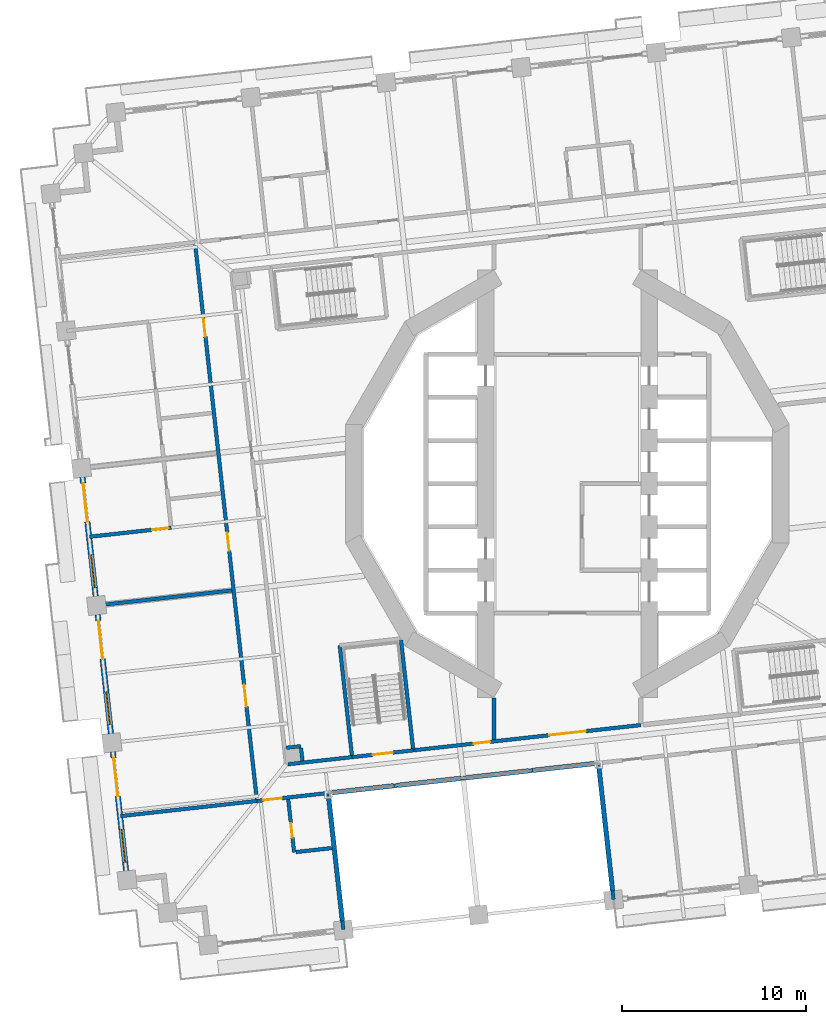
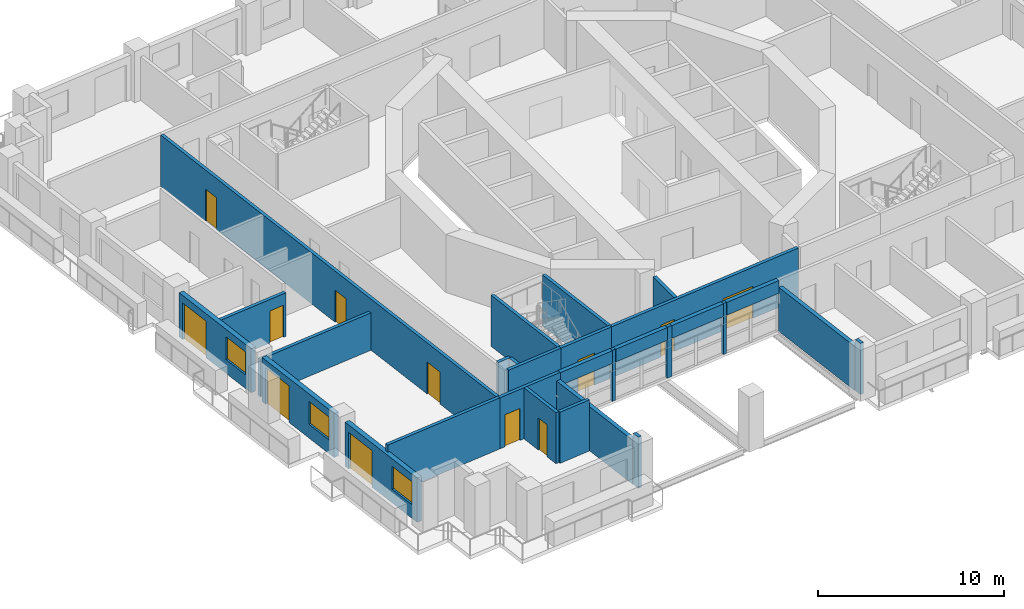
# One storey, part 7 of 21: 29 walls, 12 doors, 3 windows, 15 openings.
"""IFC4 building model written with IfcOpenShell, lengths in metres."""

from ifc_helpers import new_model, si_unit, direction, frame, frame_2d, origin, place, context, subcontext, project, spatial, rectangle, extrude, material, layer, layer_set, type_object, element, fill, save


model = new_model("IFC4")

# Units and contexts
model_context = context("Model", 3, precision=1e-05, world=origin(), true_north=direction((0.0, 1.0)))
body_context = subcontext(model_context, "Body", "Model", "MODEL_VIEW")
ifc_project = project(units=[si_unit("LENGTHUNIT", "METRE"), si_unit("AREAUNIT", "SQUARE_METRE"), si_unit("VOLUMEUNIT", "CUBIC_METRE"), si_unit("PLANEANGLEUNIT", "RADIAN"), si_unit("MASSUNIT", "GRAM", prefix="KILO")], contexts=[model_context])

# Site, building, storey
site_placement = place(None, origin())
site = spatial("IfcSite", under=ifc_project, at=site_placement, CompositionType="ELEMENT")
building_placement = place(site_placement, origin())
building = spatial("IfcBuilding", under=site, at=building_placement, Name="Cantera Rosa Tower", CompositionType="ELEMENT")
storey_placement = place(building_placement, frame((0.0, 0.0, 80.5)))
storey = spatial("IfcBuildingStorey", under=building, at=storey_placement, Name="L17", CompositionType="ELEMENT", Elevation=80.5)

# Wall, openings, doors
ifc_material_1 = material(Name="Gypsum board partition")
ifc_layer_1 = layer(ifc_material_1, 0.199951171875)
ifc_layer_set_1 = layer_set([ifc_layer_1], Name="CORRIDOR WALL 200 H3350")
wall_type_1 = type_object("IfcWallType", Name="CORRIDOR WALL 200 H3350", PredefinedType="PARTITIONING", material=ifc_layer_set_1)
wall_1_placement = place(storey_placement, frame((-20.2626953125, 13.04443359375, 0.0), z_axis=(0.0, 0.0, 1.0), x_axis=(0.110312530755, -0.993896949164, 0.0)))
wall_1 = element("IfcWall", 1, at=wall_1_placement, inside=storey, type_object=wall_type_1, Name="CORRIDOR WALL L17-007", PredefinedType="PARTITIONING", context=body_context, shape_type="SweptSolid", body=[
    extrude(rectangle(XDim=30.400146484375, YDim=0.199951171875, at=frame_2d((15.2001953125, 0.0))), origin(), (0.0, 0.0, 1.0), 3.35009765625),
])
opening_1_placement = place(wall_1_placement, frame((24.1298828125, 0.0, 0.0)))
opening_1 = element("IfcOpeningElement", 2, at=opening_1_placement, cuts=wall_1, Name="Opening L17-030", PredefinedType="OPENING", context=body_context, shape_type="SweptSolid", body=[
    extrude(rectangle(XDim=1.199951171875, YDim=2.10009765625, at=frame_2d((0.60009765625, 1.050048828125))), frame((0.0, 0.10986328125, 0.0), z_axis=(0.0, -1.0, 0.0), x_axis=(1.0, 0.0, 0.0)), (0.0, 0.0, 1.0), 0.219970703125),
])
opening_2_placement = place(wall_1_placement, frame((4.070068359375, 0.0, 0.0)))
opening_2 = element("IfcOpeningElement", 3, at=opening_2_placement, cuts=wall_1, Name="Opening L17-031", PredefinedType="OPENING", context=body_context, shape_type="SweptSolid", body=[
    extrude(rectangle(XDim=1.0, YDim=2.10009765625, at=frame_2d((0.5, 1.050048828125))), frame((0.0, 0.10986328125, 0.0), z_axis=(0.0, -1.0, 0.0), x_axis=(1.0, 0.0, 0.0)), (0.0, 0.0, 1.0), 0.219970703125),
])
opening_3_placement = place(wall_1_placement, frame((15.800048828125, 0.0, 0.0)))
opening_3 = element("IfcOpeningElement", 4, at=opening_3_placement, cuts=wall_1, Name="Opening L17-034", PredefinedType="OPENING", context=body_context, shape_type="SweptSolid", body=[
    extrude(rectangle(XDim=1.0, YDim=2.10009765625, at=frame_2d((0.5, 1.050048828125))), frame((0.0, 0.10986328125, 0.0), z_axis=(0.0, -1.0, 0.0), x_axis=(1.0, 0.0, 0.0)), (0.0, 0.0, 1.0), 0.219970703125),
])
ifc_material_2 = material(Name="Timber door leaf", Category="wood")
door_type_1 = type_object("IfcDoorType", Name="ENTRANCE DOOR 1000x2100", OperationType="NOTDEFINED", PredefinedType="DOOR", material=ifc_material_2)
door_1_placement = place(opening_2_placement, origin())
door_1 = element("IfcDoor", 5, at=door_1_placement, inside=storey, type_object=door_type_1, Name="DOOR L17-031", OperationType="NOTDEFINED", OverallHeight=2.10009765625, OverallWidth=1.0, PredefinedType="DOOR", context=body_context, shape_type="SweptSolid", body=[
    extrude(rectangle(XDim=1.0, YDim=2.10009765625, at=frame_2d((0.5, 1.050048828125))), frame((0.0, 0.02490234375, 0.0), z_axis=(0.0, -1.0, 0.0), x_axis=(1.0, 0.0, 0.0)), (0.0, 0.0, 1.0), 0.050048828125),
])
fill(opening_2, door_1)
door_2_placement = place(opening_3_placement, origin())
door_2 = element("IfcDoor", 6, at=door_2_placement, inside=storey, type_object=door_type_1, Name="DOOR L17-034", OperationType="NOTDEFINED", OverallHeight=2.10009765625, OverallWidth=1.0, PredefinedType="DOOR", context=body_context, shape_type="SweptSolid", body=[
    extrude(rectangle(XDim=1.0, YDim=2.10009765625, at=frame_2d((0.5, 1.050048828125))), frame((0.0, 0.02490234375, 0.0), z_axis=(0.0, -1.0, 0.0), x_axis=(1.0, 0.0, 0.0)), (0.0, 0.0, 1.0), 0.050048828125),
])
fill(opening_3, door_2)
ifc_material_3 = material(Name="Timber door leaf", Category="wood")
door_type_2 = type_object("IfcDoorType", Name="ROOM DOOR 1200x2100", OperationType="NOTDEFINED", PredefinedType="DOOR", material=ifc_material_3)
door_3_placement = place(opening_1_placement, origin())
door_3 = element("IfcDoor", 7, at=door_3_placement, inside=storey, type_object=door_type_2, Name="DOOR L17-030", OperationType="NOTDEFINED", OverallHeight=2.10009765625, OverallWidth=1.199951171875, PredefinedType="DOOR", context=body_context, shape_type="SweptSolid", body=[
    extrude(rectangle(XDim=1.199951171875, YDim=2.10009765625, at=frame_2d((0.60009765625, 1.050048828125))), frame((0.0, 0.02490234375, 0.0), z_axis=(0.0, -1.0, 0.0), x_axis=(1.0, 0.0, 0.0)), (0.0, 0.0, 1.0), 0.050048828125),
])
fill(opening_1, door_3)

# Wall, opening, door
wall_2_placement = place(storey_placement, frame((-16.898193359375, -17.26953125, 0.0), z_axis=(0.0, 0.0, 1.0), x_axis=(0.993894825106, 0.110331666476, 0.0)))
wall_2 = element("IfcWall", 8, at=wall_2_placement, inside=storey, type_object=wall_type_1, Name="CORRIDOR WALL L17-014", PredefinedType="PARTITIONING", context=body_context, shape_type="SweptSolid", body=[
    extrude(rectangle(XDim=4.025146484375, YDim=0.199951171875, at=frame_2d((2.0126953125, 0.0))), origin(), (0.0, 0.0, 1.0), 3.35009765625),
])
opening_4_placement = place(wall_2_placement, frame((0.35009765625, 0.0, 0.0)))
opening_4 = element("IfcOpeningElement", 9, at=opening_4_placement, cuts=wall_2, Name="Opening L17-041", PredefinedType="OPENING", context=body_context, shape_type="SweptSolid", body=[
    extrude(rectangle(XDim=1.0, YDim=2.10009765625, at=frame_2d((0.5, 1.050048828125))), frame((0.0, 0.10986328125, 0.0), z_axis=(0.0, -1.0, 0.0), x_axis=(1.0, 0.0, 0.0)), (0.0, 0.0, 1.0), 0.219970703125),
])
door_4_placement = place(opening_4_placement, origin())
door_4 = element("IfcDoor", 10, at=door_4_placement, inside=storey, type_object=door_type_1, Name="DOOR L17-041", OperationType="NOTDEFINED", OverallHeight=2.10009765625, OverallWidth=1.0, PredefinedType="DOOR", context=body_context, shape_type="SweptSolid", body=[
    extrude(rectangle(XDim=1.0, YDim=2.10009765625, at=frame_2d((0.5, 1.050048828125))), frame((0.0, 0.02490234375, 0.0), z_axis=(0.0, -1.0, 0.0), x_axis=(1.0, 0.0, 0.0)), (0.0, 0.0, 1.0), 0.050048828125),
])
fill(opening_4, door_4)

# Walls
wall_3_placement = place(storey_placement, frame((-9.452880859375, -16.443115234375, 0.0), z_axis=(0.0, 0.0, 1.0), x_axis=(0.993965363551, 0.109694375707, 0.0)))
element("IfcWall", 11, at=wall_3_placement, inside=storey, type_object=wall_type_1, Name="CORRIDOR WALL L17-015", PredefinedType="PARTITIONING", context=body_context, shape_type="SweptSolid", body=[
    extrude(rectangle(XDim=0.218017578125, YDim=0.199951171875, at=frame_2d((0.10888671875, 0.0))), origin(), (0.0, 0.0, 1.0), 3.35009765625),
])
wall_4_placement = place(storey_placement, frame((-5.819580078125, -16.039794921875, 0.0), z_axis=(0.0, 0.0, 1.0), x_axis=(0.993961066883, 0.109733301784, 0.0)))
element("IfcWall", 12, at=wall_4_placement, inside=storey, type_object=wall_type_1, Name="CORRIDOR WALL L17-016", PredefinedType="PARTITIONING", context=body_context, shape_type="SweptSolid", body=[
    extrude(rectangle(XDim=0.30712890625, YDim=0.199951171875, at=frame_2d((0.153564453125, 0.0))), origin(), (0.0, 0.0, 1.0), 3.35009765625),
])
wall_5_placement = place(storey_placement, frame((-2.097900390625, -15.626708984375, 0.0), z_axis=(0.0, 0.0, 1.0), x_axis=(0.993951872299, 0.109816554098, 0.0)))
element("IfcWall", 13, at=wall_5_placement, inside=storey, type_object=wall_type_1, Name="CORRIDOR WALL L17-017", PredefinedType="PARTITIONING", context=body_context, shape_type="SweptSolid", body=[
    extrude(rectangle(XDim=0.2177734375, YDim=0.199951171875, at=frame_2d((0.10888671875, 0.0))), origin(), (0.0, 0.0, 1.0), 3.35009765625),
])
wall_6_placement = place(storey_placement, frame((-15.208251953125, -15.27099609375, 0.0), z_axis=(0.0, 0.0, 1.0), x_axis=(0.993893064489, 0.110347525396, 0.0)))
element("IfcWall", 14, at=wall_6_placement, inside=storey, type_object=wall_type_1, Name="CORRIDOR WALL L17-023", PredefinedType="PARTITIONING", context=body_context, shape_type="SweptSolid", body=[
    extrude(rectangle(XDim=3.509033203125, YDim=0.199951171875, at=frame_2d((1.75439453125, 0.0))), origin(), (0.0, 0.0, 1.0), 3.35009765625),
])

# Wall, openings, doors
wall_7_placement = place(storey_placement, frame((-8.391357421875, -14.51416015625, 0.0), z_axis=(0.0, 0.0, 1.0), x_axis=(0.993897577722, 0.110306867408, 0.0)))
wall_7 = element("IfcWall", 15, at=wall_7_placement, inside=storey, type_object=wall_type_1, Name="CORRIDOR WALL L17-039", PredefinedType="PARTITIONING", context=body_context, shape_type="SweptSolid", body=[
    extrude(rectangle(XDim=12.467529296875, YDim=0.199951171875, at=frame_2d((6.23388671875, 0.0))), origin(), (0.0, 0.0, 1.0), 3.35009765625),
])
opening_5_placement = place(wall_7_placement, frame((3.305419921875, 0.0, 0.0)))
opening_5 = element("IfcOpeningElement", 16, at=opening_5_placement, cuts=wall_7, Name="Opening L17-008", PredefinedType="OPENING", context=body_context, shape_type="SweptSolid", body=[
    extrude(rectangle(XDim=0.89990234375, YDim=2.10009765625, at=frame_2d((0.449951171875, 1.050048828125))), frame((0.0, 0.10986328125, 0.0), z_axis=(0.0, -1.0, 0.0), x_axis=(1.0, 0.0, 0.0)), (0.0, 0.0, 1.0), 0.219970703125),
])
opening_6_placement = place(wall_7_placement, frame((7.44287109375, 0.0, 0.0)))
opening_6 = element("IfcOpeningElement", 17, at=opening_6_placement, cuts=wall_7, Name="Opening L17-012", PredefinedType="OPENING", context=body_context, shape_type="SweptSolid", body=[
    extrude(rectangle(XDim=2.0, YDim=2.10009765625, at=frame_2d((1.0, 1.050048828125))), frame((0.0, 0.10986328125, 0.0), z_axis=(0.0, -1.0, 0.0), x_axis=(1.0, 0.0, 0.0)), (0.0, 0.0, 1.0), 0.219970703125),
])
ifc_material_4 = material(Name="Steel S355J2 (EN 10025-2)", Category="steel")
door_type_3 = type_object("IfcDoorType", Name="LOBBY SCREEN DOOR 2000x2100", OperationType="NOTDEFINED", PredefinedType="DOOR", material=ifc_material_4)
door_5_placement = place(opening_6_placement, origin())
door_5 = element("IfcDoor", 18, at=door_5_placement, inside=storey, type_object=door_type_3, Name="DOOR L17-012", OperationType="NOTDEFINED", OverallHeight=2.10009765625, OverallWidth=2.0, PredefinedType="DOOR", context=body_context, shape_type="SweptSolid", body=[
    extrude(rectangle(XDim=2.0, YDim=2.10009765625, at=frame_2d((1.0, 1.050048828125))), frame((0.0, 0.02490234375, 0.0), z_axis=(0.0, -1.0, 0.0), x_axis=(1.0, 0.0, 0.0)), (0.0, 0.0, 1.0), 0.050048828125),
])
fill(opening_6, door_5)
ifc_material_5 = material(Name="Timber door leaf", Category="wood")
door_type_4 = type_object("IfcDoorType", Name="SERVICE DOOR 900x2100", OperationType="NOTDEFINED", PredefinedType="DOOR", material=ifc_material_5)
door_6_placement = place(opening_5_placement, origin())
door_6 = element("IfcDoor", 19, at=door_6_placement, inside=storey, type_object=door_type_4, Name="DOOR L17-008", OperationType="NOTDEFINED", OverallHeight=2.10009765625, OverallWidth=0.89990234375, PredefinedType="DOOR", context=body_context, shape_type="SweptSolid", body=[
    extrude(rectangle(XDim=0.89990234375, YDim=2.10009765625, at=frame_2d((0.449951171875, 1.050048828125))), frame((0.0, 0.02490234375, 0.0), z_axis=(0.0, -1.0, 0.0), x_axis=(1.0, 0.0, 0.0)), (0.0, 0.0, 1.0), 0.050048828125),
])
fill(opening_5, door_6)

# Wall
wall_8_placement = place(storey_placement, frame((-4.0, -11.667236328125, 0.0), z_axis=(0.0, 0.0, 1.0), x_axis=(0.0, -1.0, 0.0)))
element("IfcWall", 20, at=wall_8_placement, inside=storey, type_object=wall_type_1, Name="CORRIDOR WALL L17-049", PredefinedType="PARTITIONING", context=body_context, shape_type="SweptSolid", body=[
    extrude(rectangle(XDim=2.259765625, YDim=0.199951171875, at=frame_2d((1.1298828125, 0.0))), origin(), (0.0, 0.0, 1.0), 3.35009765625),
])

# Wall, openings, window, door
ifc_material_6 = material(Name="Hollow clay masonry with cantera stone cladding", Category="masonry")
ifc_layer_2 = layer(ifc_material_6, 0.300048828125)
ifc_layer_set_2 = layer_set([ifc_layer_2], Name="EW-LOGGIA 300 H2890")
wall_type_2 = type_object("IfcWallType", Name="EW-LOGGIA 300 H2890", PredefinedType="SOLIDWALL", material=ifc_layer_set_2)
wall_9_placement = place(storey_placement, frame((-26.399658203125, 0.349853515625, 0.0), z_axis=(0.0, 0.0, 1.0), x_axis=(0.110312341265, -0.993896970196, 0.0)))
wall_9 = element("IfcWall", 21, at=wall_9_placement, inside=storey, type_object=wall_type_2, Name="EN-L17-W18", PredefinedType="SOLIDWALL", context=body_context, shape_type="SweptSolid", body=[
    extrude(rectangle(XDim=6.52001953125, YDim=0.300048828125, at=frame_2d((3.260009765625, 0.0))), origin(), (0.0, 0.0, 1.0), 2.889892578125),
])
opening_7_placement = place(wall_9_placement, frame((0.330078125, 0.0, 0.0)))
opening_7 = element("IfcOpeningElement", 22, at=opening_7_placement, cuts=wall_9, Name="Opening L17-TD27", PredefinedType="OPENING", context=body_context, shape_type="SweptSolid", body=[
    extrude(rectangle(XDim=2.10009765625, YDim=2.39990234375, at=frame_2d((1.050048828125, 1.199951171875))), frame((0.0, 0.159912109375, 0.0), z_axis=(0.0, -1.0, 0.0), x_axis=(1.0, 0.0, 0.0)), (0.0, 0.0, 1.0), 0.320068359375),
])
opening_8_placement = place(wall_9_placement, frame((4.239990234375, 0.0, 0.89990234375)))
opening_8 = element("IfcOpeningElement", 23, at=opening_8_placement, cuts=wall_9, Name="Opening L17-W28", PredefinedType="OPENING", context=body_context, shape_type="SweptSolid", body=[
    extrude(rectangle(XDim=1.800048828125, YDim=1.5, at=frame_2d((0.89990234375, 0.75))), frame((0.0, 0.159912109375, 0.0), z_axis=(0.0, -1.0, 0.0), x_axis=(1.0, 0.0, 0.0)), (0.0, 0.0, 1.0), 0.320068359375),
])
ifc_material_7 = material(Name="Aluminium frame with clear glass", Category="aluminium")
window_type = type_object("IfcWindowType", Name="Hotel room window 1800x1500", PartitioningType="DOUBLE_PANEL_VERTICAL", PredefinedType="WINDOW", material=ifc_material_7)
window_1_placement = place(opening_8_placement, origin())
window_1 = element("IfcWindow", 24, at=window_1_placement, inside=storey, type_object=window_type, Name="WINDOW L17-W28", OverallHeight=1.5, OverallWidth=1.800048828125, PartitioningType="SINGLE_PANEL", PredefinedType="WINDOW", context=body_context, shape_type="SweptSolid", body=[
    extrude(rectangle(XDim=1.800048828125, YDim=1.5, at=frame_2d((0.89990234375, 0.75))), frame((0.0, 0.030029296875, 0.0), z_axis=(0.0, -1.0, 0.0), x_axis=(1.0, 0.0, 0.0)), (0.0, 0.0, 1.0), 0.06005859375),
])
fill(opening_8, window_1)
ifc_material_8 = material(Name="Aluminium frame with clear glass", Category="aluminium")
door_type_5 = type_object("IfcDoorType", Name="TD-H 2100x2400", OperationType="NOTDEFINED", PredefinedType="DOOR", material=ifc_material_8)
door_7_placement = place(opening_7_placement, origin())
door_7 = element("IfcDoor", 25, at=door_7_placement, inside=storey, type_object=door_type_5, Name="LOGGIA DOOR L17-TD27", OperationType="SLIDING_TO_LEFT", OverallHeight=2.39990234375, OverallWidth=2.10009765625, PredefinedType="DOOR", context=body_context, shape_type="SweptSolid", body=[
    extrude(rectangle(XDim=2.10009765625, YDim=2.39990234375, at=frame_2d((1.050048828125, 1.199951171875))), frame((0.0, 0.02490234375, 0.0), z_axis=(0.0, -1.0, 0.0), x_axis=(1.0, 0.0, 0.0)), (0.0, 0.0, 1.0), 0.050048828125),
])
fill(opening_7, door_7)

wall_10_placement = place(storey_placement, frame((-25.570068359375, -7.124267578125, 0.0), z_axis=(0.0, 0.0, 1.0), x_axis=(0.110312341265, -0.993896970196, 0.0)))
wall_10 = element("IfcWall", 26, at=wall_10_placement, inside=storey, type_object=wall_type_2, Name="EN-L17-W19", PredefinedType="SOLIDWALL", context=body_context, shape_type="SweptSolid", body=[
    extrude(rectangle(XDim=6.52001953125, YDim=0.300048828125, at=frame_2d((3.260009765625, 0.0))), origin(), (0.0, 0.0, 1.0), 2.889892578125),
])
opening_9_placement = place(wall_10_placement, frame((0.330078125, 0.0, 0.0)))
opening_9 = element("IfcOpeningElement", 27, at=opening_9_placement, cuts=wall_10, Name="Opening L17-TD29", PredefinedType="OPENING", context=body_context, shape_type="SweptSolid", body=[
    extrude(rectangle(XDim=2.10009765625, YDim=2.39990234375, at=frame_2d((1.050048828125, 1.199951171875))), frame((0.0, 0.159912109375, 0.0), z_axis=(0.0, -1.0, 0.0), x_axis=(1.0, 0.0, 0.0)), (0.0, 0.0, 1.0), 0.320068359375),
])
opening_10_placement = place(wall_10_placement, frame((4.239990234375, 0.0, 0.89990234375)))
opening_10 = element("IfcOpeningElement", 28, at=opening_10_placement, cuts=wall_10, Name="Opening L17-W30", PredefinedType="OPENING", context=body_context, shape_type="SweptSolid", body=[
    extrude(rectangle(XDim=1.800048828125, YDim=1.5, at=frame_2d((0.89990234375, 0.75))), frame((0.0, 0.159912109375, 0.0), z_axis=(0.0, -1.0, 0.0), x_axis=(1.0, 0.0, 0.0)), (0.0, 0.0, 1.0), 0.320068359375),
])
window_2_placement = place(opening_10_placement, origin())
window_2 = element("IfcWindow", 29, at=window_2_placement, inside=storey, type_object=window_type, Name="WINDOW L17-W30", OverallHeight=1.5, OverallWidth=1.800048828125, PartitioningType="SINGLE_PANEL", PredefinedType="WINDOW", context=body_context, shape_type="SweptSolid", body=[
    extrude(rectangle(XDim=1.800048828125, YDim=1.5, at=frame_2d((0.89990234375, 0.75))), frame((0.0, 0.030029296875, 0.0), z_axis=(0.0, -1.0, 0.0), x_axis=(1.0, 0.0, 0.0)), (0.0, 0.0, 1.0), 0.06005859375),
])
fill(opening_10, window_2)
door_8_placement = place(opening_9_placement, origin())
door_8 = element("IfcDoor", 30, at=door_8_placement, inside=storey, type_object=door_type_5, Name="LOGGIA DOOR L17-TD29", OperationType="SLIDING_TO_LEFT", OverallHeight=2.39990234375, OverallWidth=2.10009765625, PredefinedType="DOOR", context=body_context, shape_type="SweptSolid", body=[
    extrude(rectangle(XDim=2.10009765625, YDim=2.39990234375, at=frame_2d((1.050048828125, 1.199951171875))), frame((0.0, 0.02490234375, 0.0), z_axis=(0.0, -1.0, 0.0), x_axis=(1.0, 0.0, 0.0)), (0.0, 0.0, 1.0), 0.050048828125),
])
fill(opening_9, door_8)

wall_11_placement = place(storey_placement, frame((-24.74072265625, -14.598388671875, 0.0), z_axis=(0.0, 0.0, 1.0), x_axis=(0.110312341265, -0.993896970196, 0.0)))
wall_11 = element("IfcWall", 31, at=wall_11_placement, inside=storey, type_object=wall_type_2, Name="EN-L17-W20", PredefinedType="SOLIDWALL", context=body_context, shape_type="SweptSolid", body=[
    extrude(rectangle(XDim=6.52001953125, YDim=0.300048828125, at=frame_2d((3.260009765625, 0.0))), origin(), (0.0, 0.0, 1.0), 2.889892578125),
])
opening_11_placement = place(wall_11_placement, frame((0.330078125, 0.0, 0.0)))
opening_11 = element("IfcOpeningElement", 32, at=opening_11_placement, cuts=wall_11, Name="Opening L17-TD31", PredefinedType="OPENING", context=body_context, shape_type="SweptSolid", body=[
    extrude(rectangle(XDim=2.10009765625, YDim=2.39990234375, at=frame_2d((1.050048828125, 1.199951171875))), frame((0.0, 0.159912109375, 0.0), z_axis=(0.0, -1.0, 0.0), x_axis=(1.0, 0.0, 0.0)), (0.0, 0.0, 1.0), 0.320068359375),
])
opening_12_placement = place(wall_11_placement, frame((4.239990234375, 0.0, 0.89990234375)))
opening_12 = element("IfcOpeningElement", 33, at=opening_12_placement, cuts=wall_11, Name="Opening L17-W32", PredefinedType="OPENING", context=body_context, shape_type="SweptSolid", body=[
    extrude(rectangle(XDim=1.800048828125, YDim=1.5, at=frame_2d((0.89990234375, 0.75))), frame((0.0, 0.159912109375, 0.0), z_axis=(0.0, -1.0, 0.0), x_axis=(1.0, 0.0, 0.0)), (0.0, 0.0, 1.0), 0.320068359375),
])
window_3_placement = place(opening_12_placement, origin())
window_3 = element("IfcWindow", 34, at=window_3_placement, inside=storey, type_object=window_type, Name="WINDOW L17-W32", OverallHeight=1.5, OverallWidth=1.800048828125, PartitioningType="SINGLE_PANEL", PredefinedType="WINDOW", context=body_context, shape_type="SweptSolid", body=[
    extrude(rectangle(XDim=1.800048828125, YDim=1.5, at=frame_2d((0.89990234375, 0.75))), frame((0.0, 0.030029296875, 0.0), z_axis=(0.0, -1.0, 0.0), x_axis=(1.0, 0.0, 0.0)), (0.0, 0.0, 1.0), 0.06005859375),
])
fill(opening_12, window_3)
door_9_placement = place(opening_11_placement, origin())
door_9 = element("IfcDoor", 35, at=door_9_placement, inside=storey, type_object=door_type_5, Name="LOGGIA DOOR L17-TD31", OperationType="SLIDING_TO_LEFT", OverallHeight=2.39990234375, OverallWidth=2.10009765625, PredefinedType="DOOR", context=body_context, shape_type="SweptSolid", body=[
    extrude(rectangle(XDim=2.10009765625, YDim=2.39990234375, at=frame_2d((1.050048828125, 1.199951171875))), frame((0.0, 0.02490234375, 0.0), z_axis=(0.0, -1.0, 0.0), x_axis=(1.0, 0.0, 0.0)), (0.0, 0.0, 1.0), 0.050048828125),
])
fill(opening_11, door_9)

# Walls
ifc_material_9 = material(Name="Concrete C40/50", Category="concrete")
ifc_layer_3 = layer(ifc_material_9, 0.25)
ifc_layer_set_3 = layer_set([ifc_layer_3], Name="EW-POCKET CHEEK 250 H2890")
wall_type_3 = type_object("IfcWallType", Name="EW-POCKET CHEEK 250 H2890", PredefinedType="SOLIDWALL", material=ifc_layer_set_3)
wall_12_placement = place(storey_placement, frame((-12.249755859375, -23.796630859375, 0.0), z_axis=(0.0, 0.0, 1.0), x_axis=(-0.11028783669, 0.993899689646, 0.0)))
element("IfcWall", 36, at=wall_12_placement, inside=storey, type_object=wall_type_3, Name="POCKET CHEEK A L17", PredefinedType="SOLIDWALL", context=body_context, shape_type="SweptSolid", body=[
    extrude(rectangle(XDim=6.89990234375, YDim=0.25, at=frame_2d((3.449951171875, 0.0))), origin(), (0.0, 0.0, 1.0), 2.889892578125),
])
wall_13_placement = place(storey_placement, frame((2.4599609375, -22.163818359375, 0.0), z_axis=(0.0, 0.0, 1.0), x_axis=(-0.110322788799, 0.993895810572, 0.0)))
element("IfcWall", 37, at=wall_13_placement, inside=storey, type_object=wall_type_3, Name="POCKET CHEEK B L17", PredefinedType="SOLIDWALL", context=body_context, shape_type="SweptSolid", body=[
    extrude(rectangle(XDim=6.900146484375, YDim=0.25, at=frame_2d((3.4501953125, 0.0))), origin(), (0.0, 0.0, 1.0), 2.889892578125),
])
ifc_material_10 = material(Name="Hollow clay masonry with cantera stone cladding", Category="masonry")
ifc_layer_4 = layer(ifc_material_10, 0.25)
ifc_layer_set_4 = layer_set([ifc_layer_4], Name="EW-POCKET REAR 250")
wall_type_4 = type_object("IfcWallType", Name="EW-POCKET REAR 250", PredefinedType="SOLIDWALL", material=ifc_layer_set_4)
wall_14_placement = place(storey_placement, frame((-12.897705078125, -16.825439453125, 2.51611328125), z_axis=(0.0, 0.0, 1.0), x_axis=(0.993897471215, 0.110307827068, 0.0)))
element("IfcWall", 38, at=wall_14_placement, inside=storey, type_object=wall_type_4, Name="POCKET SPANDREL L17-1", PredefinedType="SOLIDWALL", context=body_context, shape_type="SweptSolid", body=[
    extrude(rectangle(XDim=3.466064453125, YDim=0.25, at=frame_2d((1.73291015625, 0.0))), origin(), (0.0, 0.0, 1.0), 0.833984375),
])
for number, where, z_axis, x_axis, name in (
    (39, (-9.236083984375, -16.419189453125, 2.51611328125), (0.0, 0.0, 1.0), (0.993890661754, 0.110369164525, 0.0), "POCKET SPANDREL L17-2"),
    (40, (-5.514404296875, -16.006103515625, 2.51611328125), (0.0, 0.0, 1.0), (0.993890661754, 0.110369164525, 0.0), "POCKET SPANDREL L17-3"),
):
    element("IfcWall", number, at=place(storey_placement, frame(where, z_axis=z_axis, x_axis=x_axis)), inside=storey, type_object=wall_type_4, Name=name, PredefinedType="SOLIDWALL", context=body_context, shape_type="SweptSolid", body=[
        extrude(rectangle(XDim=3.4375, YDim=0.25, at=frame_2d((1.71875, 0.0))), origin(), (0.0, 0.0, 1.0), 0.833984375),
    ])
wall_15_placement = place(storey_placement, frame((-1.88134765625, -15.602783203125, 2.51611328125), z_axis=(0.0, 0.0, 1.0), x_axis=(0.993897471215, 0.110307827068, 0.0)))
element("IfcWall", 41, at=wall_15_placement, inside=storey, type_object=wall_type_4, Name="POCKET SPANDREL L17-4", PredefinedType="SOLIDWALL", context=body_context, shape_type="SweptSolid", body=[
    extrude(rectangle(XDim=3.466064453125, YDim=0.25, at=frame_2d((1.73291015625, 0.0))), origin(), (0.0, 0.0, 1.0), 0.833984375),
])

# Wall, opening, door
ifc_material_11 = material(Name="Gypsum board partition")
ifc_layer_5 = layer(ifc_material_11, 0.199951171875)
ifc_layer_set_5 = layer_set([ifc_layer_5], Name="PARTITION 200 H2850")
wall_type_5 = type_object("IfcWallType", Name="PARTITION 200 H2850", PredefinedType="PARTITIONING", material=ifc_layer_set_5)
wall_16_placement = place(storey_placement, frame((-21.567626953125, -2.393798828125, 0.0), z_axis=(0.0, 0.0, 1.0), x_axis=(-0.993895052822, -0.11032961514, 0.0)))
wall_16 = element("IfcWall", 42, at=wall_16_placement, inside=storey, type_object=wall_type_5, Name="PARTITION L17-005", PredefinedType="PARTITIONING", context=body_context, shape_type="SweptSolid", body=[
    extrude(rectangle(XDim=4.469970703125, YDim=0.199951171875, at=frame_2d((2.23486328125, 0.0))), origin(), (0.0, 0.0, 1.0), 2.85009765625),
])
opening_13_placement = place(wall_16_placement, frame((0.14990234375, 0.0, 0.0)))
opening_13 = element("IfcOpeningElement", 43, at=opening_13_placement, cuts=wall_16, Name="Opening L17-035", PredefinedType="OPENING", context=body_context, shape_type="SweptSolid", body=[
    extrude(rectangle(XDim=0.89990234375, YDim=2.10009765625, at=frame_2d((0.449951171875, 1.050048828125))), frame((0.0, 0.10986328125, 0.0), z_axis=(0.0, -1.0, 0.0), x_axis=(1.0, 0.0, 0.0)), (0.0, 0.0, 1.0), 0.219970703125),
])
ifc_material_12 = material(Name="Timber door leaf", Category="wood")
door_type_6 = type_object("IfcDoorType", Name="ROOM DOOR 900x2100", OperationType="NOTDEFINED", PredefinedType="DOOR", material=ifc_material_12)
door_10_placement = place(opening_13_placement, origin())
door_10 = element("IfcDoor", 44, at=door_10_placement, inside=storey, type_object=door_type_6, Name="DOOR L17-035", OperationType="NOTDEFINED", OverallHeight=2.10009765625, OverallWidth=0.89990234375, PredefinedType="DOOR", context=body_context, shape_type="SweptSolid", body=[
    extrude(rectangle(XDim=0.89990234375, YDim=2.10009765625, at=frame_2d((0.449951171875, 1.050048828125))), frame((0.0, 0.02490234375, 0.0), z_axis=(0.0, -1.0, 0.0), x_axis=(1.0, 0.0, 0.0)), (0.0, 0.0, 1.0), 0.050048828125),
])
fill(opening_13, door_10)

ifc_material_13 = material(Name="Gypsum board partition")
ifc_layer_6 = layer(ifc_material_13, 0.199951171875)
ifc_layer_set_6 = layer_set([ifc_layer_6], Name="PARTITION 200 H3350")
wall_type_6 = type_object("IfcWallType", Name="PARTITION 200 H3350", PredefinedType="PARTITIONING", material=ifc_layer_set_6)
wall_17_placement = place(storey_placement, frame((-14.87744140625, -20.063720703125, 0.0), z_axis=(0.0, 0.0, 1.0), x_axis=(-0.110366846939, 0.993890919114, 0.0)))
wall_17 = element("IfcWall", 45, at=wall_17_placement, inside=storey, type_object=wall_type_6, Name="PARTITION L17-024", PredefinedType="PARTITIONING", context=body_context, shape_type="SweptSolid", body=[
    extrude(rectangle(XDim=2.900146484375, YDim=0.199951171875, at=frame_2d((1.4501953125, 0.0))), origin(), (0.0, 0.0, 1.0), 3.35009765625),
])
opening_14_placement = place(wall_17_placement, frame((0.800048828125, 0.0, 0.0)))
opening_14 = element("IfcOpeningElement", 46, at=opening_14_placement, cuts=wall_17, Name="Opening L17-042", PredefinedType="OPENING", context=body_context, shape_type="SweptSolid", body=[
    extrude(rectangle(XDim=0.800048828125, YDim=2.10009765625, at=frame_2d((0.39990234375, 1.050048828125))), frame((0.0, 0.10986328125, 0.0), z_axis=(0.0, -1.0, 0.0), x_axis=(1.0, 0.0, 0.0)), (0.0, 0.0, 1.0), 0.219970703125),
])
ifc_material_14 = material(Name="Timber door leaf", Category="wood")
door_type_7 = type_object("IfcDoorType", Name="BATHROOM DOOR 800x2100", OperationType="NOTDEFINED", PredefinedType="DOOR", material=ifc_material_14)
door_11_placement = place(opening_14_placement, origin())
door_11 = element("IfcDoor", 47, at=door_11_placement, inside=storey, type_object=door_type_7, Name="DOOR L17-042", OperationType="NOTDEFINED", OverallHeight=2.10009765625, OverallWidth=0.800048828125, PredefinedType="DOOR", context=body_context, shape_type="SweptSolid", body=[
    extrude(rectangle(XDim=0.800048828125, YDim=2.10009765625, at=frame_2d((0.39990234375, 1.050048828125))), frame((0.0, 0.02490234375, 0.0), z_axis=(0.0, -1.0, 0.0), x_axis=(1.0, 0.0, 0.0)), (0.0, 0.0, 1.0), 0.050048828125),
])
fill(opening_14, door_11)

# Walls
wall_18_placement = place(storey_placement, frame((-14.512451171875, -14.2880859375, 0.0), z_axis=(0.0, 0.0, 1.0), x_axis=(-0.993880012744, -0.110465018303, 0.0)))
element("IfcWall", 48, at=wall_18_placement, inside=storey, type_object=wall_type_6, Name="PARTITION L17-026", PredefinedType="PARTITIONING", context=body_context, shape_type="SweptSolid", body=[
    extrude(rectangle(XDim=0.800048828125, YDim=0.199951171875, at=frame_2d((0.39990234375, 0.0))), origin(), (0.0, 0.0, 1.0), 3.35009765625),
])
wall_19_placement = place(storey_placement, frame((-14.42431640625, -15.083251953125, 0.0), z_axis=(0.0, 0.0, 1.0), x_axis=(-0.110201865026, 0.993909225707, 0.0)))
element("IfcWall", 49, at=wall_19_placement, inside=storey, type_object=wall_type_6, Name="PARTITION L17-027", PredefinedType="PARTITIONING", context=body_context, shape_type="SweptSolid", body=[
    extrude(rectangle(XDim=0.699951171875, YDim=0.199951171875, at=frame_2d((0.35009765625, 0.0))), origin(), (0.0, 0.0, 1.0), 3.35009765625),
])
wall_20_placement = place(storey_placement, frame((-12.249755859375, -23.79638671875, 0.0), z_axis=(0.0, 0.0, 1.0), x_axis=(0.110089547864, -0.993921672694, 0.0)))
element("IfcWall", 50, at=wall_20_placement, inside=storey, type_object=wall_type_6, Name="PARTITION L17-030", PredefinedType="PARTITIONING", context=body_context, shape_type="SweptSolid", body=[
    extrude(rectangle(XDim=0.47021484375, YDim=0.199951171875, at=frame_2d((0.235107421875, 0.0))), origin(), (0.0, 0.0, 1.0), 3.35009765625),
])
wall_21_placement = place(storey_placement, frame((-12.8251953125, -19.835693359375, 0.0), z_axis=(0.0, 0.0, 1.0), x_axis=(-0.993894336995, -0.110336063414, 0.0)))
element("IfcWall", 51, at=wall_21_placement, inside=storey, type_object=wall_type_6, Name="PARTITION L17-031", PredefinedType="PARTITIONING", context=body_context, shape_type="SweptSolid", body=[
    extrude(rectangle(XDim=1.96484375, YDim=0.199951171875, at=frame_2d((0.982421875, 0.0))), origin(), (0.0, 0.0, 1.0), 3.35009765625),
])
wall_22_placement = place(storey_placement, frame((2.51171875, -22.631103515625, 0.0), z_axis=(0.0, 0.0, 1.0), x_axis=(-0.110089547864, 0.993921672694, 0.0)))
element("IfcWall", 52, at=wall_22_placement, inside=storey, type_object=wall_type_6, Name="PARTITION L17-057", PredefinedType="PARTITIONING", context=body_context, shape_type="SweptSolid", body=[
    extrude(rectangle(XDim=0.47021484375, YDim=0.199951171875, at=frame_2d((0.235107421875, 0.0))), origin(), (0.0, 0.0, 1.0), 3.35009765625),
])
ifc_material_15 = material(Name="Gypsum board partition")
ifc_layer_7 = layer(ifc_material_15, 0.199951171875)
ifc_layer_set_7 = layer_set([ifc_layer_7], Name="PARTY WALL 200 H2450")
wall_type_7 = type_object("IfcWallType", Name="PARTY WALL 200 H2450", PredefinedType="PARTITIONING", material=ifc_layer_set_7)
wall_23_placement = place(storey_placement, frame((-18.2705078125, -5.810791015625, 0.0), z_axis=(0.0, 0.0, 1.0), x_axis=(-0.993897058864, -0.11031154238, 0.0)))
element("IfcWall", 53, at=wall_23_placement, inside=storey, type_object=wall_type_7, Name="PARTY WALL L17-012", PredefinedType="PARTITIONING", context=body_context, shape_type="SweptSolid", body=[
    extrude(rectangle(XDim=7.369873046875, YDim=0.199951171875, at=frame_2d((3.68505859375, 0.0))), origin(), (0.0, 0.0, 1.0), 2.449951171875),
])
ifc_material_16 = material(Name="Gypsum board partition")
ifc_layer_8 = layer(ifc_material_16, 0.199951171875)
ifc_layer_set_8 = layer_set([ifc_layer_8], Name="PARTY WALL 200 H3350")
wall_type_8 = type_object("IfcWallType", Name="PARTY WALL 200 H3350", PredefinedType="PARTITIONING", material=ifc_layer_set_8)
wall_24_placement = place(storey_placement, frame((-24.322509765625, -18.093505859375, 0.0), z_axis=(0.0, 0.0, 1.0), x_axis=(0.993897676912, 0.110305973679, 0.0)))
element("IfcWall", 54, at=wall_24_placement, inside=storey, type_object=wall_type_8, Name="PARTY WALL L17-002", PredefinedType="PARTITIONING", context=body_context, shape_type="SweptSolid", body=[
    extrude(rectangle(XDim=7.469970703125, YDim=0.199951171875, at=frame_2d((3.73486328125, 0.0))), origin(), (0.0, 0.0, 1.0), 3.35009765625),
])
ifc_material_17 = material(Name="Concrete C50/60", Category="concrete")
ifc_layer_9 = layer(ifc_material_17, 0.199951171875)
ifc_layer_set_9 = layer_set([ifc_layer_9], Name="STAIR WALL 200 H3350")
wall_type_9 = type_object("IfcWallType", Name="STAIR WALL 200 H3350", PredefinedType="SOLIDWALL", material=ifc_layer_set_9)
wall_25_placement = place(storey_placement, frame((-12.395751953125, -8.802978515625, 0.0), z_axis=(0.0, 0.0, 1.0), x_axis=(0.110335171461, -0.993894436014, 0.0)))
element("IfcWall", 55, at=wall_25_placement, inside=storey, type_object=wall_type_9, Name="STAIR WALL L17-032", PredefinedType="SOLIDWALL", context=body_context, shape_type="SweptSolid", body=[
    extrude(rectangle(XDim=6.1181640625, YDim=0.199951171875, at=frame_2d((3.05908203125, 0.0))), origin(), (0.0, 0.0, 1.0), 3.35009765625),
])

# Wall, opening, door
wall_26_placement = place(storey_placement, frame((-11.720703125, -14.8837890625, 0.0), z_axis=(0.0, 0.0, 1.0), x_axis=(0.993893507649, 0.110343533811, 0.0)))
wall_26 = element("IfcWall", 56, at=wall_26_placement, inside=storey, type_object=wall_type_9, Name="STAIR WALL L17-034", PredefinedType="SOLIDWALL", context=body_context, shape_type="SweptSolid", body=[
    extrude(rectangle(XDim=3.349853515625, YDim=0.199951171875, at=frame_2d((1.6748046875, 0.0))), origin(), (0.0, 0.0, 1.0), 3.35009765625),
])
opening_15_placement = place(wall_26_placement, frame((1.125, 0.0, 0.0)))
opening_15 = element("IfcOpeningElement", 57, at=opening_15_placement, cuts=wall_26, Name="Opening L17-003", PredefinedType="OPENING", context=body_context, shape_type="SweptSolid", body=[
    extrude(rectangle(XDim=1.10009765625, YDim=2.10009765625, at=frame_2d((0.550048828125, 1.050048828125))), frame((0.0, 0.10986328125, 0.0), z_axis=(0.0, -1.0, 0.0), x_axis=(1.0, 0.0, 0.0)), (0.0, 0.0, 1.0), 0.219970703125),
])
ifc_material_18 = material(Name="Steel S355J2 (EN 10025-2)", Category="steel")
door_type_8 = type_object("IfcDoorType", Name="STAIR DOOR 1100x2100", OperationType="NOTDEFINED", PredefinedType="DOOR", material=ifc_material_18)
door_12_placement = place(opening_15_placement, origin())
door_12 = element("IfcDoor", 58, at=door_12_placement, inside=storey, type_object=door_type_8, Name="DOOR L17-003", OperationType="NOTDEFINED", OverallHeight=2.10009765625, OverallWidth=1.10009765625, PredefinedType="DOOR", context=body_context, shape_type="SweptSolid", body=[
    extrude(rectangle(XDim=1.10009765625, YDim=2.10009765625, at=frame_2d((0.550048828125, 1.050048828125))), frame((0.0, 0.02490234375, 0.0), z_axis=(0.0, -1.0, 0.0), x_axis=(1.0, 0.0, 0.0)), (0.0, 0.0, 1.0), 0.050048828125),
])
fill(opening_15, door_12)

# Wall
wall_27_placement = place(storey_placement, frame((-8.391357421875, -14.51416015625, 0.0), z_axis=(0.0, 0.0, 1.0), x_axis=(-0.11031151838, 0.993897061527, 0.0)))
element("IfcWall", 59, at=wall_27_placement, inside=storey, type_object=wall_type_9, Name="STAIR WALL L17-038", PredefinedType="SOLIDWALL", context=body_context, shape_type="SweptSolid", body=[
    extrude(rectangle(XDim=6.02880859375, YDim=0.199951171875, at=frame_2d((3.014404296875, 0.0))), origin(), (0.0, 0.0, 1.0), 3.35009765625),
])

save(model, "model.ifc")
